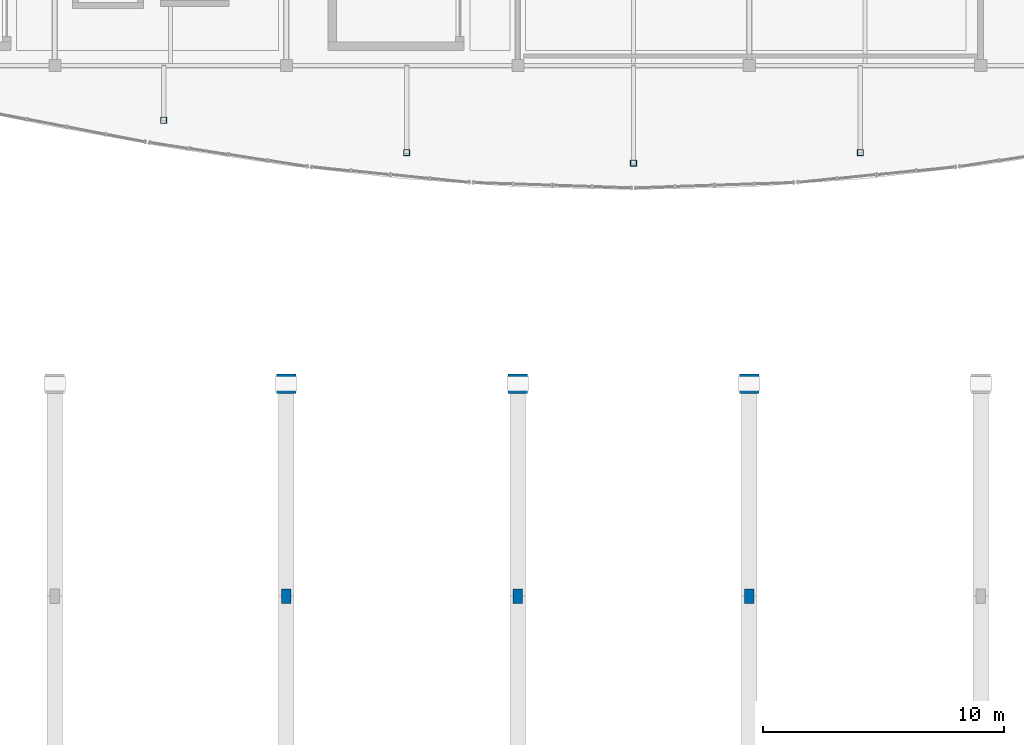
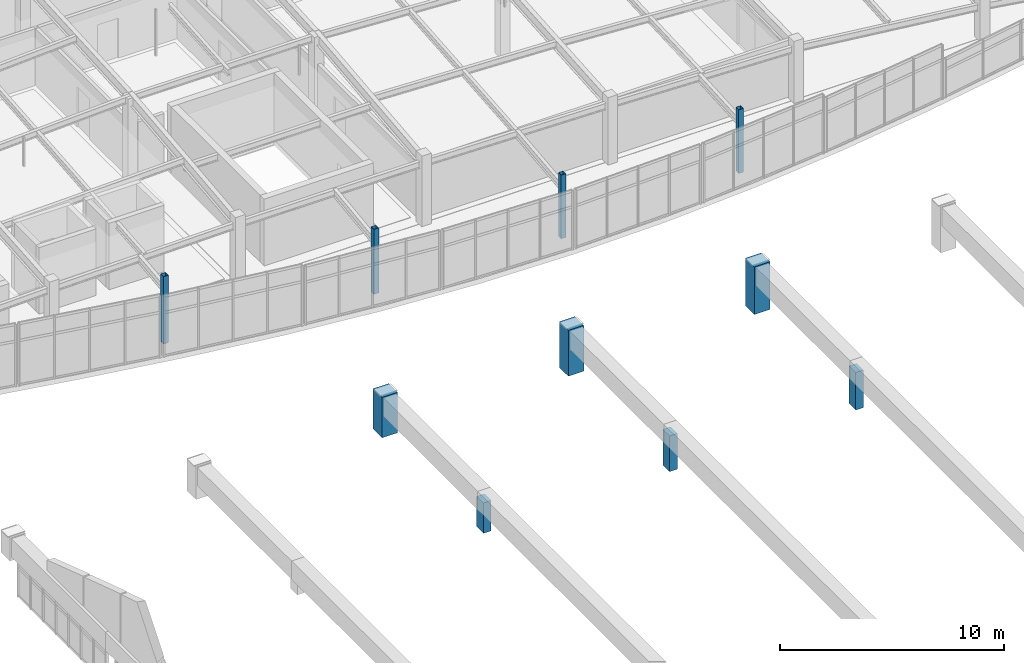
# One storey, part 4 of 65: 10 columns.
"""IFC4 building model written with IfcOpenShell, lengths in metres."""

import ifcopenshell
import ifcopenshell.guid

model = None  # the IFC model being written
_history = None  # IfcOwnerHistory: only IFC2X3 demands one
_inside = {}  # id of a spatial element -> (the spatial element, [elements in it])
_under = {}  # id of a project, library or spatial element -> (it, [spatial elements below it])
_declared = {}  # id of a project -> (the project, [libraries it declares])
_typed = {}  # id of a type object -> (the type object, [elements of that type])
_made_of = {}  # id of a material, layer set ... -> (it, [elements and type objects made of it])


def new_model(schema):
    """Start an empty IFC model of exactly this schema.

    Asked for "IFC4X3", IfcOpenShell would pick the latest addendum, in which some entities
    have other attributes; the version numbers below select the first issue.
    IFC2X3 requires an IfcOwnerHistory on every rooted entity: one is made here for all.
    """
    global model, _history
    if schema == "IFC4X3":
        model = ifcopenshell.file(schema_version=(4, 3, 0, 0))
    else:
        model = ifcopenshell.file(schema=schema)
    _inside.clear()
    _under.clear()
    _declared.clear()
    _typed.clear()
    _made_of.clear()
    _history = None
    if model.schema == "IFC2X3":
        org = make("IfcOrganization", Name="unknown")
        user = make(
            "IfcPersonAndOrganization",
            ThePerson=make("IfcPerson", FamilyName="unknown"),
            TheOrganization=org,
        )
        app = make(
            "IfcApplication",
            ApplicationDeveloper=org,
            Version="unknown",
            ApplicationFullName="unknown",
            ApplicationIdentifier="unknown",
        )
        _history = make(
            "IfcOwnerHistory",
            OwningUser=user,
            OwningApplication=app,
            ChangeAction="ADDED",
            CreationDate=0,
        )
    return model


def make(cls, **values):
    """One entity of the class cls with the attributes given. An attribute that is None is left unset."""
    return model.create_entity(
        cls, **{name: value for name, value in values.items() if value is not None}
    )


def rooted(cls, **values):
    """An entity with a GlobalId (a new one), such as an element, a storey or a relation."""
    return make(cls, GlobalId=ifcopenshell.guid.new(), OwnerHistory=_history, **values)


def si_unit(unit_type, name, prefix=None):
    """IfcSIUnit, for example si_unit("LENGTHUNIT", "METRE", prefix="MILLI")."""
    return make("IfcSIUnit", UnitType=unit_type, Prefix=prefix, Name=name)


def assignment(units):
    """IfcUnitAssignment: the units of a project."""
    return None if units is None else make("IfcUnitAssignment", Units=units)


def point(xyz):
    """IfcCartesianPoint."""
    return None if xyz is None else make("IfcCartesianPoint", Coordinates=xyz)


def direction(xyz):
    """IfcDirection."""
    return None if xyz is None else make("IfcDirection", DirectionRatios=xyz)


def frame(location, z_axis=None, x_axis=None):
    """IfcAxis2Placement3D, a coordinate frame: its origin and axes. An axis left out is left unset."""
    return make(
        "IfcAxis2Placement3D",
        Location=point(location),
        Axis=direction(z_axis),
        RefDirection=direction(x_axis),
    )


def frame_2d(location, x_axis=None):
    """IfcAxis2Placement2D, a coordinate frame in the plane: its origin and x axis."""
    return make(
        "IfcAxis2Placement2D", Location=point(location), RefDirection=direction(x_axis)
    )


def origin():
    """The frame at (0, 0, 0) with its axes left unset."""
    return frame((0.0, 0.0, 0.0))


def origin_2d():
    """The frame at (0, 0) in the plane with its x axis left unset."""
    return frame_2d((0.0, 0.0))


def place(relative_to, where):
    """IfcLocalPlacement: puts the frame where relative to a parent placement (None: the world)."""
    return make(
        "IfcLocalPlacement", PlacementRelTo=relative_to, RelativePlacement=where
    )


def context(
    kind, dimensions, precision=None, world=None, true_north=None, identifier=None
):
    """IfcGeometricRepresentationContext, for example the 3D "Model" context."""
    return make(
        "IfcGeometricRepresentationContext",
        ContextIdentifier=identifier,
        ContextType=kind,
        CoordinateSpaceDimension=dimensions,
        Precision=precision,
        WorldCoordinateSystem=world,
        TrueNorth=true_north,
    )


def subcontext(parent, identifier, kind, view, scale=None):
    """IfcGeometricRepresentationSubContext, for example "Body" below "Model"."""
    return make(
        "IfcGeometricRepresentationSubContext",
        ContextIdentifier=identifier,
        ContextType=kind,
        ParentContext=parent,
        TargetScale=scale,
        TargetView=view,
    )


def project(units=None, contexts=None):
    """IfcProject with its units and contexts."""
    return rooted(
        "IfcProject",
        Name="project",
        RepresentationContexts=contexts,
        UnitsInContext=assignment(units),
    )


def spatial(cls, under=None, at=None, **own):
    """A site, building, storey or space (cls), placed at a placement, below another one or the project."""
    s = rooted(cls, ObjectPlacement=at, **own)
    if under is not None:
        _under.setdefault(under.id(), (under, []))[1].append(s)
    return s


def profile(cls, at=None, kind="AREA", **sizes):
    """A parametric profile (cls). Its sizes go by their IFC names, for example OverallWidth=200.0."""
    return make(cls, ProfileType=kind, Position=at, **sizes)


def rectangle(**sizes):
    """IfcRectangleProfileDef."""
    return profile("IfcRectangleProfileDef", **sizes)


def hollow_rectangle(**sizes):
    """IfcRectangleHollowProfileDef."""
    return profile("IfcRectangleHollowProfileDef", **sizes)


def extrude(swept, where, along, depth):
    """IfcExtrudedAreaSolid: the profile swept, set in the frame where, extruded along a direction by depth."""
    return make(
        "IfcExtrudedAreaSolid",
        SweptArea=swept,
        Position=where,
        ExtrudedDirection=direction(along),
        Depth=depth,
    )


def shape(context_of_items, identifier, shape_type, items):
    """IfcShapeRepresentation: the items that make up one representation, for example the "Body"."""
    return make(
        "IfcShapeRepresentation",
        ContextOfItems=context_of_items,
        RepresentationIdentifier=identifier,
        RepresentationType=shape_type,
        Items=items,
    )


def material(Name=None, Category=None):
    """IfcMaterial."""
    return make("IfcMaterial", Name=Name, Category=Category)


def material_profile(
    of_material, cross_section, Name=None, Category=None, Priority=None
):
    """IfcMaterialProfile: a cross section and its material."""
    return make(
        "IfcMaterialProfile",
        Name=Name,
        Material=of_material,
        Profile=cross_section,
        Priority=Priority,
        Category=Category,
    )


def profile_set(profiles, Name=None, composite=None):
    """IfcMaterialProfileSet."""
    return make(
        "IfcMaterialProfileSet",
        Name=Name,
        MaterialProfiles=profiles,
        CompositeProfile=composite,
    )


def made_of(thing, what):
    """Note that an element or type object is made of a material, layer set ...; save() writes the relation."""
    if what is not None:
        _made_of.setdefault(what.id(), (what, []))[1].append(thing)
    return thing


def type_object(cls, material=None, **own):
    """A type object (cls), such as IfcWallType, which elements share."""
    return made_of(rooted(cls, **own), material)


def element(
    cls,
    number,
    at=None,
    inside=None,
    cuts=None,
    type_object=None,
    material=None,
    context=None,
    identifier="Body",
    shape_type=None,
    held_by="IfcProductDefinitionShape",
    body=None,
    shapes=None,
    **own,
):
    """One element of the class cls, such as IfcWall. Its Tag is "e" and its number.

    at: its placement. inside: the storey or other place that contains it. cuts: it is an
    opening in that element (IfcRelVoidsElement). A single representation is given by context,
    identifier, shape_type and body (its items); several are given by shapes. held_by: the class
    of the entity that holds the representations. save() writes the other relations.
    """
    e = rooted(cls, Tag="e%d" % number, ObjectPlacement=at, **own)
    if body is not None:
        shapes = [shape(context, identifier, shape_type, body)]
    if shapes is not None:
        e.Representation = make(held_by, Representations=shapes)
    if inside is not None:
        _inside.setdefault(inside.id(), (inside, []))[1].append(e)
    if cuts is not None:
        rooted(
            "IfcRelVoidsElement", RelatingBuildingElement=cuts, RelatedOpeningElement=e
        )
    if type_object is not None:
        _typed.setdefault(type_object.id(), (type_object, []))[1].append(e)
    return made_of(e, material)


def aggregate(whole, parts):
    """IfcRelAggregates: a whole, such as a stair, and the parts it consists of."""
    return rooted("IfcRelAggregates", RelatingObject=whole, RelatedObjects=parts)


def save(model, path):
    """Write the relations noted so far, then the file.

    IfcRelAggregates (storeys below a building ...), IfcRelContainedInSpatialStructure (elements
    in a storey), IfcRelDefinesByType, IfcRelAssociatesMaterial and IfcRelDeclares: one each for
    every whole, place, type object, material and project.
    """
    for whole, parts in _under.values():
        aggregate(whole, parts)
    for where, things in _inside.values():
        rooted(
            "IfcRelContainedInSpatialStructure",
            RelatedElements=things,
            RelatingStructure=where,
        )
    for kind, things in _typed.values():
        rooted("IfcRelDefinesByType", RelatedObjects=things, RelatingType=kind)
    for what, things in _made_of.values():
        rooted("IfcRelAssociatesMaterial", RelatedObjects=things, RelatingMaterial=what)
    for by, libraries in _declared.values():
        rooted("IfcRelDeclares", RelatingContext=by, RelatedDefinitions=libraries)
    model.write(path)


model = new_model("IFC4")

# Units and contexts
model_context = context("Model", 3, precision=1e-05, world=origin(), true_north=direction((0.0, 1.0)))
body_context = subcontext(model_context, "Body", "Model", "MODEL_VIEW")
ifc_project = project(units=[si_unit("LENGTHUNIT", "METRE"), si_unit("AREAUNIT", "SQUARE_METRE"), si_unit("VOLUMEUNIT", "CUBIC_METRE"), si_unit("PLANEANGLEUNIT", "RADIAN"), si_unit("MASSUNIT", "GRAM", prefix="KILO")], contexts=[model_context])

# Site, building, storey
site_placement = place(None, origin())
site = spatial("IfcSite", under=ifc_project, at=site_placement, CompositionType="ELEMENT")
building_placement = place(site_placement, origin())
building = spatial("IfcBuilding", under=site, at=building_placement, Name="Chalmorin Arch Market", CompositionType="ELEMENT")
storey_placement = place(building_placement, frame((0.0, 0.0, 14.10009765625)))
storey = spatial("IfcBuildingStorey", under=building, at=storey_placement, Name="L03", CompositionType="ELEMENT", Elevation=14.10009765625)

# Columns
ifc_material_1 = material(Name="Concrete C50/60", Category="concrete")
ifc_material_profile_1 = material_profile(ifc_material_1, rectangle(XDim=0.800048828125, YDim=0.800048828125, at=origin_2d()), Name="RC800X800")
ifc_profile_set_1 = profile_set([ifc_material_profile_1], Name="Concrete C50/60")
column_type_1 = type_object("IfcColumnType", Name="ArchPierColumn-800x800", PredefinedType="COLUMN", material=ifc_profile_set_1)
column_1_placement = place(storey_placement, frame((67.199951171875, 58.800048828125, 0.0), z_axis=(0.0, 0.0, 1.0), x_axis=(1.0, 0.0, 0.0)))
element("IfcColumn", 1, at=column_1_placement, inside=storey, type_object=column_type_1, Name="C-AP1-334", PredefinedType="COLUMN", context=body_context, shape_type="SweptSolid", body=[
    extrude(rectangle(XDim=0.800048828125, YDim=0.800048828125, at=origin_2d()), origin(), (0.0, 0.0, 1.0), 2.204833984375),
])
column_2_placement = place(storey_placement, frame((76.800048828125, 58.800048828125, 0.0), z_axis=(0.0, 0.0, 1.0), x_axis=(1.0, 0.0, 0.0)))
element("IfcColumn", 2, at=column_2_placement, inside=storey, type_object=column_type_1, Name="C-AP1-389", PredefinedType="COLUMN", context=body_context, shape_type="SweptSolid", body=[
    extrude(rectangle(XDim=0.800048828125, YDim=0.800048828125, at=origin_2d()), origin(), (0.0, 0.0, 1.0), 2.496826171875),
])
column_3_placement = place(storey_placement, frame((86.39990234375, 58.800048828125, 0.0), z_axis=(0.0, 0.0, 1.0), x_axis=(1.0, 0.0, 0.0)))
element("IfcColumn", 3, at=column_3_placement, inside=storey, type_object=column_type_1, Name="C-AP1-444", PredefinedType="COLUMN", context=body_context, shape_type="SweptSolid", body=[
    extrude(rectangle(XDim=0.800048828125, YDim=0.800048828125, at=origin_2d()), origin(), (0.0, 0.0, 1.0), 2.599853515625),
])
ifc_material_2 = material(Name="Concrete C40/50", Category="concrete")
ifc_material_profile_2 = material_profile(ifc_material_2, rectangle(XDim=0.39990234375, YDim=0.60009765625, at=origin_2d()), Name="RC400X600")
ifc_profile_set_2 = profile_set([ifc_material_profile_2], Name="Concrete C40/50")
column_type_2 = type_object("IfcColumnType", Name="GalleryConcreteColumn-400x600", PredefinedType="COLUMN", material=ifc_profile_set_2)
column_4_placement = place(storey_placement, frame((67.199951171875, 50.0, 0.0), z_axis=(0.0, 0.0, 1.0), x_axis=(1.0, 0.0, 0.0)))
element("IfcColumn", 4, at=column_4_placement, inside=storey, type_object=column_type_2, Name="C-RC5-329", PredefinedType="COLUMN", context=body_context, shape_type="SweptSolid", body=[
    extrude(rectangle(XDim=0.39990234375, YDim=0.60009765625, at=origin_2d()), origin(), (0.0, 0.0, 1.0), 1.65478515625),
])
column_5_placement = place(storey_placement, frame((76.800048828125, 50.0, 0.0), z_axis=(0.0, 0.0, 1.0), x_axis=(1.0, 0.0, 0.0)))
element("IfcColumn", 5, at=column_5_placement, inside=storey, type_object=column_type_2, Name="C-RC5-384", PredefinedType="COLUMN", context=body_context, shape_type="SweptSolid", body=[
    extrude(rectangle(XDim=0.39990234375, YDim=0.60009765625, at=origin_2d()), origin(), (0.0, 0.0, 1.0), 1.947021484375),
])
column_6_placement = place(storey_placement, frame((86.39990234375, 50.0, 0.0), z_axis=(0.0, 0.0, 1.0), x_axis=(1.0, 0.0, 0.0)))
element("IfcColumn", 6, at=column_6_placement, inside=storey, type_object=column_type_2, Name="C-RC5-439", PredefinedType="COLUMN", context=body_context, shape_type="SweptSolid", body=[
    extrude(rectangle(XDim=0.39990234375, YDim=0.60009765625, at=origin_2d()), origin(), (0.0, 0.0, 1.0), 2.0498046875),
])
ifc_material_3 = material(Name="Steel A500 Grade C", Category="steel")
ifc_material_profile_3 = material_profile(ifc_material_3, hollow_rectangle(XDim=0.25390625, YDim=0.25390625, WallThickness=0.01171875, at=origin_2d()), Name="HSS10X10X1/2")
ifc_profile_set_3 = profile_set([ifc_material_profile_3], Name="Steel A500 Grade C")
column_type_3 = type_object("IfcColumnType", Name="SteelTubeColumn-HSS10X10", PredefinedType="COLUMN", material=ifc_profile_set_3)
column_7_placement = place(storey_placement, frame((62.112060546875, 69.73095703125, 0.0), z_axis=(0.0, 0.0, 1.0), x_axis=(1.0, 0.0, 0.0)))
element("IfcColumn", 7, at=column_7_placement, inside=storey, type_object=column_type_3, Name="C-HS2-711", PredefinedType="COLUMN", context=body_context, shape_type="SweptSolid", body=[
    extrude(hollow_rectangle(XDim=0.25390625, YDim=0.25390625, WallThickness=0.01171875, at=origin_2d()), origin(), (0.0, 0.0, 1.0), 3.679931640625),
])
column_8_placement = place(storey_placement, frame((72.19189453125, 68.387939453125, 0.0), z_axis=(0.0, 0.0, 1.0), x_axis=(1.0, 0.0, 0.0)))
element("IfcColumn", 8, at=column_8_placement, inside=storey, type_object=column_type_3, Name="C-HS2-719", PredefinedType="COLUMN", context=body_context, shape_type="SweptSolid", body=[
    extrude(hollow_rectangle(XDim=0.25390625, YDim=0.25390625, WallThickness=0.01171875, at=origin_2d()), origin(), (0.0, 0.0, 1.0), 3.5419921875),
])
column_9_placement = place(storey_placement, frame((81.60009765625, 67.949951171875, 0.0), z_axis=(0.0, 0.0, 1.0), x_axis=(1.0, 0.0, 0.0)))
element("IfcColumn", 9, at=column_9_placement, inside=storey, type_object=column_type_3, Name="C-HS2-727", PredefinedType="COLUMN", context=body_context, shape_type="SweptSolid", body=[
    extrude(hollow_rectangle(XDim=0.25390625, YDim=0.25390625, WallThickness=0.01171875, at=origin_2d()), origin(), (0.0, 0.0, 1.0), 3.471923828125),
])
column_10_placement = place(storey_placement, frame((91.008056640625, 68.387939453125, 0.0), z_axis=(0.0, 0.0, 1.0), x_axis=(1.0, 0.0, 0.0)))
element("IfcColumn", 10, at=column_10_placement, inside=storey, type_object=column_type_3, Name="C-HS2-735", PredefinedType="COLUMN", context=body_context, shape_type="SweptSolid", body=[
    extrude(hollow_rectangle(XDim=0.25390625, YDim=0.25390625, WallThickness=0.01171875, at=origin_2d()), origin(), (0.0, 0.0, 1.0), 3.469970703125),
])

save(model, "model.ifc")
